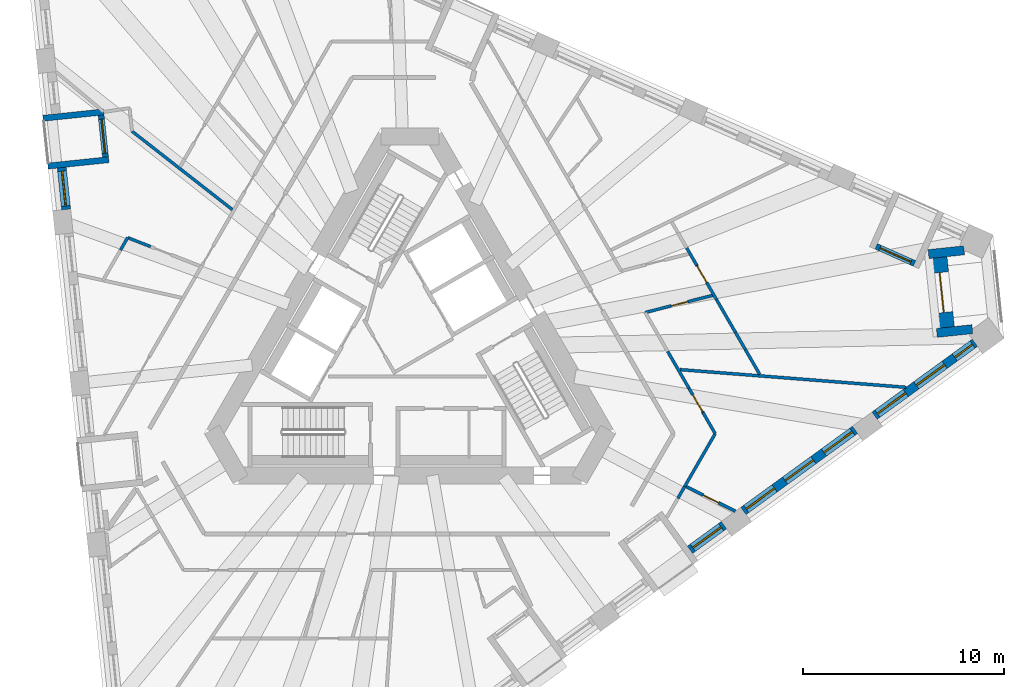
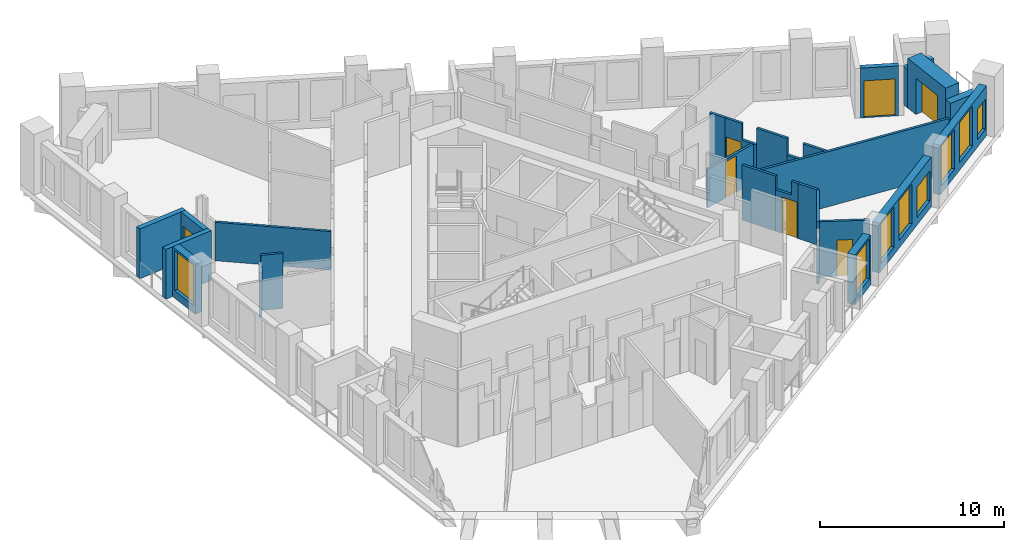
# One storey, part 6 of 14: 27 walls, 8 windows, 7 doors, 15 openings.
"""IFC4 building model written with IfcOpenShell, lengths in metres."""

from ifc_helpers import new_model, si_unit, direction, frame, frame_2d, origin, place, context, subcontext, project, spatial, polyline, rectangle, outline, extrude, material, layer, layer_set, type_object, element, fill, save


model = new_model("IFC4")

# Units and contexts
model_context = context("Model", 3, precision=1e-05, world=origin(), true_north=direction((0.0, 1.0)))
body_context = subcontext(model_context, "Body", "Model", "MODEL_VIEW")
ifc_project = project(units=[si_unit("LENGTHUNIT", "METRE"), si_unit("AREAUNIT", "SQUARE_METRE"), si_unit("VOLUMEUNIT", "CUBIC_METRE"), si_unit("PLANEANGLEUNIT", "RADIAN"), si_unit("MASSUNIT", "GRAM", prefix="KILO")], contexts=[model_context])

# Site, building, storey
site_placement = place(None, origin())
site = spatial("IfcSite", under=ifc_project, at=site_placement, CompositionType="ELEMENT")
building_placement = place(site_placement, origin())
building = spatial("IfcBuilding", under=site, at=building_placement, Name="Tramontana Tower", CompositionType="ELEMENT")
storey_placement = place(building_placement, frame((0.0, 0.0, 174.800048828125)))
storey = spatial("IfcBuildingStorey", under=building, at=storey_placement, Name="L40", CompositionType="ELEMENT", Elevation=174.800048828125)

# Wall, opening, window
ifc_material_1 = material(Name="Precast concrete 60 MPa", Category="concrete")
ifc_layer_1 = layer(ifc_material_1, 0.449951171875)
ifc_layer_set_1 = layer_set([ifc_layer_1], Name="Precast concrete 60 MPa, 450 mm")
wall_type_1 = type_object("IfcWallType", Name="EW1 Stone-faced precast wall 450", PredefinedType="SOLIDWALL", material=ifc_layer_set_1)
wall_1_placement = place(storey_placement, frame((-17.362060546875, 9.01171875, 0.0), z_axis=(0.0, 0.0, 1.0), x_axis=(0.104569484464, -0.994517583011, 0.0)))
wall_1 = element("IfcWall", 1, at=wall_1_placement, inside=storey, type_object=wall_type_1, Name="External wall L40 face 0 bay 2", PredefinedType="SOLIDWALL", context=body_context, shape_type="SweptSolid", body=[
    extrude(rectangle(XDim=2.09423828125, YDim=0.449951171875, at=frame_2d((1.047119140625, 0.0))), origin(), (0.0, 0.0, 1.0), 3.300048828125),
])
opening_1_placement = place(wall_1_placement, frame((0.172119140625, 0.0, 0.5)))
opening_1 = element("IfcOpeningElement", 2, at=opening_1_placement, cuts=wall_1, Name="Opening M2", PredefinedType="OPENING", context=body_context, shape_type="SweptSolid", body=[
    extrude(rectangle(XDim=1.75, YDim=2.64990234375, at=frame_2d((0.875, 1.324951171875))), frame((0.0, 0.23486328125, 0.0), z_axis=(0.0, -1.0, 0.0), x_axis=(1.0, 0.0, 0.0)), (0.0, 0.0, 1.0), 0.469970703125),
])
ifc_material_2 = material(Name="Aluminum frame, double glazing unit", Category="aluminium")
window_type_1 = type_object("IfcWindowType", Name="M2 Window 1.75 x 2.65", PartitioningType="SINGLE_PANEL", PredefinedType="WINDOW", material=ifc_material_2)
window_1_placement = place(opening_1_placement, origin())
window_1 = element("IfcWindow", 3, at=window_1_placement, inside=storey, type_object=window_type_1, Name="Window M2 L40 face 0 module 6", OverallHeight=2.64990234375, OverallWidth=1.75, PartitioningType="SINGLE_PANEL", PredefinedType="WINDOW", context=body_context, shape_type="SweptSolid", body=[
    extrude(rectangle(XDim=1.75, YDim=2.64990234375, at=frame_2d((0.875, 1.324951171875))), frame((0.0, 0.030029296875, 0.0), z_axis=(0.0, -1.0, 0.0), x_axis=(1.0, 0.0, 0.0)), (0.0, 0.0, 1.0), 0.06005859375),
])
fill(opening_1, window_1)

wall_2_placement = place(storey_placement, frame((13.955078125, -10.039794921875, 0.0), z_axis=(0.0, 0.0, 1.0), x_axis=(0.809028366311, 0.587769599847, 0.0)))
wall_2 = element("IfcWall", 4, at=wall_2_placement, inside=storey, type_object=wall_type_1, Name="External wall L40 face 1 bay 4", PredefinedType="SOLIDWALL", context=body_context, shape_type="SweptSolid", body=[
    extrude(rectangle(XDim=2.09423828125, YDim=0.449951171875, at=frame_2d((1.047119140625, 0.0))), origin(), (0.0, 0.0, 1.0), 3.300048828125),
])
opening_2_placement = place(wall_2_placement, frame((0.172119140625, 0.0, 0.5)))
opening_2 = element("IfcOpeningElement", 5, at=opening_2_placement, cuts=wall_2, Name="Opening M2", PredefinedType="OPENING", context=body_context, shape_type="SweptSolid", body=[
    extrude(rectangle(XDim=1.75, YDim=2.64990234375, at=frame_2d((0.875, 1.324951171875))), frame((0.0, 0.23486328125, 0.0), z_axis=(0.0, -1.0, 0.0), x_axis=(1.0, 0.0, 0.0)), (0.0, 0.0, 1.0), 0.469970703125),
])
window_2_placement = place(opening_2_placement, origin())
window_2 = element("IfcWindow", 6, at=window_2_placement, inside=storey, type_object=window_type_1, Name="Window M2 L40 face 1 module 12", OverallHeight=2.64990234375, OverallWidth=1.75, PartitioningType="SINGLE_PANEL", PredefinedType="WINDOW", context=body_context, shape_type="SweptSolid", body=[
    extrude(rectangle(XDim=1.75, YDim=2.64990234375, at=frame_2d((0.875, 1.324951171875))), frame((0.0, 0.030029296875, 0.0), z_axis=(0.0, -1.0, 0.0), x_axis=(1.0, 0.0, 0.0)), (0.0, 0.0, 1.0), 0.06005859375),
])
fill(opening_2, window_2)

# Wall, openings, windows
wall_3_placement = place(storey_placement, frame((16.6201171875, -8.103515625, 0.0), z_axis=(0.0, 0.0, 1.0), x_axis=(0.809016690404, 0.587785670672, 0.0)))
wall_3 = element("IfcWall", 7, at=wall_3_placement, inside=storey, type_object=wall_type_1, Name="External wall L40 face 1 bay 5", PredefinedType="SOLIDWALL", context=body_context, shape_type="SweptSolid", body=[
    extrude(rectangle(XDim=6.8828125, YDim=0.449951171875, at=frame_2d((3.44140625, 0.0))), origin(), (0.0, 0.0, 1.0), 3.300048828125),
])
opening_3_placement = place(wall_3_placement, frame((0.172119140625, 0.0, 0.5)))
opening_3 = element("IfcOpeningElement", 8, at=opening_3_placement, cuts=wall_3, Name="Opening M2", PredefinedType="OPENING", context=body_context, shape_type="SweptSolid", body=[
    extrude(rectangle(XDim=1.75, YDim=2.64990234375, at=frame_2d((0.875, 1.324951171875))), frame((0.0, 0.23486328125, 0.0), z_axis=(0.0, -1.0, 0.0), x_axis=(1.0, 0.0, 0.0)), (0.0, 0.0, 1.0), 0.469970703125),
])
opening_4_placement = place(wall_3_placement, frame((2.56640625, 0.0, 0.5)))
opening_4 = element("IfcOpeningElement", 9, at=opening_4_placement, cuts=wall_3, Name="Opening M2", PredefinedType="OPENING", context=body_context, shape_type="SweptSolid", body=[
    extrude(rectangle(XDim=1.75, YDim=2.64990234375, at=frame_2d((0.875, 1.324951171875))), frame((0.0, 0.23486328125, 0.0), z_axis=(0.0, -1.0, 0.0), x_axis=(1.0, 0.0, 0.0)), (0.0, 0.0, 1.0), 0.469970703125),
])
opening_5_placement = place(wall_3_placement, frame((4.960693359375, 0.0, 0.5)))
opening_5 = element("IfcOpeningElement", 10, at=opening_5_placement, cuts=wall_3, Name="Opening M2L", PredefinedType="OPENING", context=body_context, shape_type="SweptSolid", body=[
    extrude(rectangle(XDim=1.75, YDim=2.0, at=frame_2d((0.875, 1.0))), frame((0.0, 0.23486328125, 0.0), z_axis=(0.0, -1.0, 0.0), x_axis=(1.0, 0.0, 0.0)), (0.0, 0.0, 1.0), 0.469970703125),
])
window_3_placement = place(opening_3_placement, origin())
window_3 = element("IfcWindow", 11, at=window_3_placement, inside=storey, type_object=window_type_1, Name="Window M2 L40 face 1 module 13", OverallHeight=2.64990234375, OverallWidth=1.75, PartitioningType="SINGLE_PANEL", PredefinedType="WINDOW", context=body_context, shape_type="SweptSolid", body=[
    extrude(rectangle(XDim=1.75, YDim=2.64990234375, at=frame_2d((0.875, 1.324951171875))), frame((0.0, 0.030029296875, 0.0), z_axis=(0.0, -1.0, 0.0), x_axis=(1.0, 0.0, 0.0)), (0.0, 0.0, 1.0), 0.06005859375),
])
fill(opening_3, window_3)
window_4_placement = place(opening_4_placement, origin())
window_4 = element("IfcWindow", 12, at=window_4_placement, inside=storey, type_object=window_type_1, Name="Window M2 L40 face 1 module 14", OverallHeight=2.64990234375, OverallWidth=1.75, PartitioningType="SINGLE_PANEL", PredefinedType="WINDOW", context=body_context, shape_type="SweptSolid", body=[
    extrude(rectangle(XDim=1.75, YDim=2.64990234375, at=frame_2d((0.875, 1.324951171875))), frame((0.0, 0.030029296875, 0.0), z_axis=(0.0, -1.0, 0.0), x_axis=(1.0, 0.0, 0.0)), (0.0, 0.0, 1.0), 0.06005859375),
])
fill(opening_4, window_4)
ifc_material_3 = material(Name="Aluminum frame, double glazing unit", Category="aluminium")
window_type_2 = type_object("IfcWindowType", Name="M2L Window 1.75 x 2", PartitioningType="SINGLE_PANEL", PredefinedType="WINDOW", material=ifc_material_3)
window_5_placement = place(opening_5_placement, origin())
window_5 = element("IfcWindow", 13, at=window_5_placement, inside=storey, type_object=window_type_2, Name="Window M2L L40 face 1 module 15", OverallHeight=2.0, OverallWidth=1.75, PartitioningType="SINGLE_PANEL", PredefinedType="WINDOW", context=body_context, shape_type="SweptSolid", body=[
    extrude(rectangle(XDim=1.75, YDim=2.0, at=frame_2d((0.875, 1.0))), frame((0.0, 0.030029296875, 0.0), z_axis=(0.0, -1.0, 0.0), x_axis=(1.0, 0.0, 0.0)), (0.0, 0.0, 1.0), 0.06005859375),
])
fill(opening_5, window_5)

wall_4_placement = place(storey_placement, frame((23.159423828125, -3.3525390625, 0.0), z_axis=(0.0, 0.0, 1.0), x_axis=(0.809005790194, 0.587800673215, 0.0)))
wall_4 = element("IfcWall", 14, at=wall_4_placement, inside=storey, type_object=wall_type_1, Name="External wall L40 face 1 bay 6", PredefinedType="SOLIDWALL", context=body_context, shape_type="SweptSolid", body=[
    extrude(rectangle(XDim=6.182861328125, YDim=0.449951171875, at=frame_2d((3.09130859375, 0.0))), origin(), (0.0, 0.0, 1.0), 3.300048828125),
])
opening_6_placement = place(wall_4_placement, frame((0.172119140625, 0.0, 0.5)))
opening_6 = element("IfcOpeningElement", 15, at=opening_6_placement, cuts=wall_4, Name="Opening M2", PredefinedType="OPENING", context=body_context, shape_type="SweptSolid", body=[
    extrude(rectangle(XDim=1.75, YDim=2.64990234375, at=frame_2d((0.875, 1.324951171875))), frame((0.0, 0.23486328125, 0.0), z_axis=(0.0, -1.0, 0.0), x_axis=(1.0, 0.0, 0.0)), (0.0, 0.0, 1.0), 0.469970703125),
])
opening_7_placement = place(wall_4_placement, frame((2.56640625, 0.0, 0.5)))
opening_7 = element("IfcOpeningElement", 16, at=opening_7_placement, cuts=wall_4, Name="Opening M2", PredefinedType="OPENING", context=body_context, shape_type="SweptSolid", body=[
    extrude(rectangle(XDim=1.75, YDim=2.64990234375, at=frame_2d((0.875, 1.324951171875))), frame((0.0, 0.23486328125, 0.0), z_axis=(0.0, -1.0, 0.0), x_axis=(1.0, 0.0, 0.0)), (0.0, 0.0, 1.0), 0.469970703125),
])
opening_8_placement = place(wall_4_placement, frame((4.935791015625, 0.0, 0.5)))
opening_8 = element("IfcOpeningElement", 17, at=opening_8_placement, cuts=wall_4, Name="Opening N2L", PredefinedType="OPENING", context=body_context, shape_type="SweptSolid", body=[
    extrude(rectangle(XDim=1.10009765625, YDim=2.0, at=frame_2d((0.550048828125, 1.0))), frame((0.0, 0.23486328125, 0.0), z_axis=(0.0, -1.0, 0.0), x_axis=(1.0, 0.0, 0.0)), (0.0, 0.0, 1.0), 0.469970703125),
])
window_6_placement = place(opening_6_placement, origin())
window_6 = element("IfcWindow", 18, at=window_6_placement, inside=storey, type_object=window_type_1, Name="Window M2 L40 face 1 module 16", OverallHeight=2.64990234375, OverallWidth=1.75, PartitioningType="SINGLE_PANEL", PredefinedType="WINDOW", context=body_context, shape_type="SweptSolid", body=[
    extrude(rectangle(XDim=1.75, YDim=2.64990234375, at=frame_2d((0.875, 1.324951171875))), frame((0.0, 0.030029296875, 0.0), z_axis=(0.0, -1.0, 0.0), x_axis=(1.0, 0.0, 0.0)), (0.0, 0.0, 1.0), 0.06005859375),
])
fill(opening_6, window_6)
window_7_placement = place(opening_7_placement, origin())
window_7 = element("IfcWindow", 19, at=window_7_placement, inside=storey, type_object=window_type_1, Name="Window M2 L40 face 1 module 17", OverallHeight=2.64990234375, OverallWidth=1.75, PartitioningType="SINGLE_PANEL", PredefinedType="WINDOW", context=body_context, shape_type="SweptSolid", body=[
    extrude(rectangle(XDim=1.75, YDim=2.64990234375, at=frame_2d((0.875, 1.324951171875))), frame((0.0, 0.030029296875, 0.0), z_axis=(0.0, -1.0, 0.0), x_axis=(1.0, 0.0, 0.0)), (0.0, 0.0, 1.0), 0.06005859375),
])
fill(opening_7, window_7)
ifc_material_4 = material(Name="Aluminum frame, double glazing unit", Category="aluminium")
window_type_3 = type_object("IfcWindowType", Name="N2L Window 1.1 x 2", PartitioningType="SINGLE_PANEL", PredefinedType="WINDOW", material=ifc_material_4)
window_8_placement = place(opening_8_placement, origin())
window_8 = element("IfcWindow", 20, at=window_8_placement, inside=storey, type_object=window_type_3, Name="Window N2L L40 face 1 module 18", OverallHeight=2.0, OverallWidth=1.10009765625, PartitioningType="SINGLE_PANEL", PredefinedType="WINDOW", context=body_context, shape_type="SweptSolid", body=[
    extrude(rectangle(XDim=1.10009765625, YDim=2.0, at=frame_2d((0.550048828125, 1.0))), frame((0.0, 0.030029296875, 0.0), z_axis=(0.0, -1.0, 0.0), x_axis=(1.0, 0.0, 0.0)), (0.0, 0.0, 1.0), 0.06005859375),
])
fill(opening_8, window_8)

# Walls
wall_5_placement = place(storey_placement, frame((27.619384765625, 4.888916015625, 0.0), z_axis=(0.0, 0.0, 1.0), x_axis=(-0.994517477618, -0.104570486815, 0.0)))
element("IfcWall", 21, at=wall_5_placement, inside=storey, type_object=wall_type_1, Name="Corner loggia side wall L40 K42l", PredefinedType="SOLIDWALL", context=body_context, shape_type="SweptSolid", body=[
    extrude(rectangle(XDim=1.779052734375, YDim=0.449951171875, at=frame_2d((0.8896484375, 0.0))), origin(), (0.0, 0.0, 1.0), 2.550048828125),
])
wall_6_placement = place(storey_placement, frame((28.032470703125, 0.96044921875, 0.0), z_axis=(0.0, 0.0, 1.0), x_axis=(-0.994518977937, -0.104556217051, 0.0)))
element("IfcWall", 22, at=wall_6_placement, inside=storey, type_object=wall_type_1, Name="Corner loggia side wall L40 K42r", PredefinedType="SOLIDWALL", context=body_context, shape_type="SweptSolid", body=[
    extrude(rectangle(XDim=1.779296875, YDim=0.449951171875, at=frame_2d((0.8896484375, 0.0))), origin(), (0.0, 0.0, 1.0), 2.550048828125),
])

# Wall, opening, door
ifc_material_5 = material(Name="Precast concrete 60 MPa", Category="concrete")
ifc_layer_2 = layer(ifc_material_5, 0.89990234375)
ifc_layer_set_2 = layer_set([ifc_layer_2], Name="EW2 Stone-faced corner loggia wall 900")
wall_type_2 = type_object("IfcWallType", Name="EW2 Stone-faced corner loggia wall 900", PredefinedType="SOLIDWALL", material=ifc_layer_set_2)
wall_7_placement = place(storey_placement, frame((26.321044921875, 4.526123046875, 0.0), z_axis=(0.0, 0.0, 1.0), x_axis=(0.104557701916, -0.994518821828, 0.0)))
wall_7 = element("IfcWall", 23, at=wall_7_placement, inside=storey, type_object=wall_type_2, Name="Corner loggia wall L40 K42", PredefinedType="SOLIDWALL", context=body_context, shape_type="SweptSolid", body=[
    extrude(rectangle(XDim=3.500244140625, YDim=0.89990234375, at=frame_2d((1.75, 0.0))), origin(), (0.0, 0.0, 1.0), 3.300048828125),
])
opening_9_placement = place(wall_7_placement, frame((0.75, 0.0, 0.0)))
opening_9 = element("IfcOpeningElement", 24, at=opening_9_placement, cuts=wall_7, Name="Opening BD-42C", PredefinedType="OPENING", context=body_context, shape_type="SweptSolid", body=[
    extrude(rectangle(XDim=2.0, YDim=2.39990234375, at=frame_2d((1.0, 1.199951171875))), frame((0.0, 0.4599609375, 0.0), z_axis=(0.0, -1.0, 0.0), x_axis=(1.0, 0.0, 0.0)), (0.0, 0.0, 1.0), 0.919921875),
])
ifc_material_6 = material(Name="Aluminum frame, double glazing unit", Category="aluminium")
door_type_1 = type_object("IfcDoorType", Name="BC1 Sliding door 2 x 2.4", OperationType="SLIDING_TO_LEFT", PredefinedType="DOOR", material=ifc_material_6)
door_1_placement = place(opening_9_placement, origin())
door_1 = element("IfcDoor", 25, at=door_1_placement, inside=storey, type_object=door_type_1, Name="Corner loggia door L40 K42", OperationType="SLIDING_TO_LEFT", OverallHeight=2.39990234375, OverallWidth=2.0, PredefinedType="DOOR", context=body_context, shape_type="SweptSolid", body=[
    extrude(rectangle(XDim=2.0, YDim=2.39990234375, at=frame_2d((1.0, 1.199951171875))), frame((0.0, 0.02490234375, 0.0), z_axis=(0.0, -1.0, 0.0), x_axis=(1.0, 0.0, 0.0)), (0.0, 0.0, 1.0), 0.050048828125),
])
fill(opening_9, door_1)

ifc_material_7 = material(Name="Precast concrete 60 MPa", Category="concrete")
ifc_layer_3 = layer(ifc_material_7, 0.300048828125)
ifc_layer_set_3 = layer_set([ifc_layer_3], Name="LW1 Stone-faced loggia wall 300")
wall_type_3 = type_object("IfcWallType", Name="LW1 Stone-faced loggia wall 300", PredefinedType="SOLIDWALL", material=ifc_layer_set_3)
wall_8_placement = place(storey_placement, frame((-15.399658203125, 11.62548828125, 0.0), z_axis=(0.0, 0.0, 1.0), x_axis=(0.104569484464, -0.994517583011, 0.0)))
wall_8 = element("IfcWall", 26, at=wall_8_placement, inside=storey, type_object=wall_type_3, Name="Loggia wall L40 G4S0.4", PredefinedType="SOLIDWALL", context=body_context, shape_type="SweptSolid", body=[
    extrude(rectangle(XDim=2.09423828125, YDim=0.300048828125, at=frame_2d((1.047119140625, 0.0))), origin(), (0.0, 0.0, 1.0), 3.300048828125),
])
opening_10_placement = place(wall_8_placement, frame((0.197265625, 0.0, 0.0)))
opening_10 = element("IfcOpeningElement", 27, at=opening_10_placement, cuts=wall_8, Name="Opening BD-4S0-04", PredefinedType="OPENING", context=body_context, shape_type="SweptSolid", body=[
    extrude(rectangle(XDim=1.699951171875, YDim=2.449951171875, at=frame_2d((0.85009765625, 1.22509765625))), frame((0.0, 0.159912109375, 0.0), z_axis=(0.0, -1.0, 0.0), x_axis=(1.0, 0.0, 0.0)), (0.0, 0.0, 1.0), 0.320068359375),
])
ifc_material_8 = material(Name="Aluminum frame, double glazing unit", Category="aluminium")
door_type_2 = type_object("IfcDoorType", Name="BD2 Sliding door 1.7 x 2.45", OperationType="SLIDING_TO_LEFT", PredefinedType="DOOR", material=ifc_material_8)
door_2_placement = place(opening_10_placement, origin())
door_2 = element("IfcDoor", 28, at=door_2_placement, inside=storey, type_object=door_type_2, Name="Loggia door L40 G4S0.4", OperationType="SLIDING_TO_LEFT", OverallHeight=2.449951171875, OverallWidth=1.699951171875, PredefinedType="DOOR", context=body_context, shape_type="SweptSolid", body=[
    extrude(rectangle(XDim=1.699951171875, YDim=2.449951171875, at=frame_2d((0.85009765625, 1.22509765625))), frame((0.0, 0.02490234375, 0.0), z_axis=(0.0, -1.0, 0.0), x_axis=(1.0, 0.0, 0.0)), (0.0, 0.0, 1.0), 0.050048828125),
])
fill(opening_10, door_2)

# Walls
for number, where, z_axis, x_axis, name in (
    (29, (-18.29931640625, 11.471435546875, 0.0), (0.0, 0.0, 1.0), (0.994520355942, 0.104543108891, 0.0), "Loggia return L40 G4S0.4a"),
    (30, (-18.049072265625, 9.09033203125, 0.0), (0.0, 0.0, 1.0), (0.994520355942, 0.104543108891, 0.0), "Loggia return L40 G4S0.4b"),
):
    element("IfcWall", number, at=place(storey_placement, frame(where, z_axis=z_axis, x_axis=x_axis)), inside=storey, type_object=wall_type_3, Name=name, PredefinedType="SOLIDWALL", context=body_context, shape_type="SweptSolid", body=[
        extrude(rectangle(XDim=3.0498046875, YDim=0.300048828125, at=frame_2d((1.52490234375, 0.0))), origin(), (0.0, 0.0, 1.0), 3.300048828125),
    ])

# Wall, opening, door
wall_9_placement = place(storey_placement, frame((25.15185546875, 4.236083984375, 0.0), z_axis=(0.0, 0.0, 1.0), x_axis=(-0.913556597974, 0.40671162056, 0.0)))
wall_9 = element("IfcWall", 31, at=wall_9_placement, inside=storey, type_object=wall_type_3, Name="Loggia wall L40 G4S2.1", PredefinedType="SOLIDWALL", context=body_context, shape_type="SweptSolid", body=[
    extrude(rectangle(XDim=2.094482421875, YDim=0.300048828125, at=frame_2d((1.04736328125, 0.0))), origin(), (0.0, 0.0, 1.0), 3.300048828125),
])
opening_11_placement = place(wall_9_placement, frame((0.197265625, 0.0, 0.0)))
opening_11 = element("IfcOpeningElement", 32, at=opening_11_placement, cuts=wall_9, Name="Opening BD-4S2-01", PredefinedType="OPENING", context=body_context, shape_type="SweptSolid", body=[
    extrude(rectangle(XDim=1.699951171875, YDim=2.449951171875, at=frame_2d((0.85009765625, 1.22509765625))), frame((0.0, 0.159912109375, 0.0), z_axis=(0.0, -1.0, 0.0), x_axis=(1.0, 0.0, 0.0)), (0.0, 0.0, 1.0), 0.320068359375),
])
door_3_placement = place(opening_11_placement, origin())
door_3 = element("IfcDoor", 33, at=door_3_placement, inside=storey, type_object=door_type_2, Name="Loggia door L40 G4S2.1", OperationType="SLIDING_TO_LEFT", OverallHeight=2.449951171875, OverallWidth=1.699951171875, PredefinedType="DOOR", context=body_context, shape_type="SweptSolid", body=[
    extrude(rectangle(XDim=1.699951171875, YDim=2.449951171875, at=frame_2d((0.85009765625, 1.22509765625))), frame((0.0, 0.02490234375, 0.0), z_axis=(0.0, -1.0, 0.0), x_axis=(1.0, 0.0, 0.0)), (0.0, 0.0, 1.0), 0.050048828125),
])
fill(opening_11, door_3)

# Walls
ifc_material_9 = material(Name="Gypsum board partition")
ifc_layer_4 = layer(ifc_material_9, 0.14990234375)
ifc_layer_set_4 = layer_set([ifc_layer_4], Name="PARTITION 150")
wall_type_4 = type_object("IfcWallType", Name="PARTITION 150", PredefinedType="PARTITIONING", material=ifc_layer_set_4)
wall_10_placement = place(storey_placement, frame((-14.432373046875, 4.90234375, 0.0), z_axis=(0.0, 0.0, 1.0), x_axis=(0.500027542156, 0.866009501729, 0.0)))
element("IfcWall", 34, at=wall_10_placement, inside=storey, type_object=wall_type_4, Name="Wall v41-pw00-1", PredefinedType="PARTITIONING", context=body_context, shape_type="SweptSolid", body=[
    extrude(rectangle(XDim=0.7158203125, YDim=0.14990234375, at=frame_2d((0.35791015625, 0.0))), origin(), (0.0, 0.0, 1.0), 2.949951171875),
])
wall_11_placement = place(storey_placement, frame((-14.074462890625, 5.522216796875, 0.0), z_axis=(0.0, 0.0, 1.0), x_axis=(0.9308963575, -0.3652834127, 0.0)))
element("IfcWall", 35, at=wall_11_placement, inside=storey, type_object=wall_type_4, Name="Wall v41-pw08-0", PredefinedType="PARTITIONING", context=body_context, shape_type="SweptSolid", body=[
    extrude(rectangle(XDim=1.228515625, YDim=0.14990234375, at=frame_2d((0.6142578125, 0.0))), origin(), (0.0, 0.0, 1.0), 3.64990234375),
])
wall_12_placement = place(storey_placement, frame((-8.852783203125, 6.916748046875, 0.0), z_axis=(0.0, 0.0, 1.0), x_axis=(-0.788021459681, 0.61564777193, 0.0)))
element("IfcWall", 36, at=wall_12_placement, inside=storey, type_object=wall_type_4, Name="Wall v41-pw20-0", PredefinedType="PARTITIONING", context=body_context, shape_type="SweptSolid", body=[
    extrude(rectangle(XDim=6.350830078125, YDim=0.14990234375, at=frame_2d((3.17529296875, 0.0))), origin(), (0.0, 0.0, 1.0), 2.550048828125),
])
wall_13_placement = place(storey_placement, frame((12.845703125, -0.149658203125, 0.0), z_axis=(0.0, 0.0, 1.0), x_axis=(0.500073154421, -0.86598316394, 0.0)))
element("IfcWall", 37, at=wall_13_placement, inside=storey, type_object=wall_type_4, Name="Wall v41-pw43-2", PredefinedType="PARTITIONING", context=body_context, shape_type="SweptSolid", body=[
    extrude(rectangle(XDim=2.109130859375, YDim=0.14990234375, at=frame_2d((1.0546875, 0.0))), origin(), (0.0, 0.0, 1.0), 3.64990234375),
])

# Wall, opening, door
wall_14_placement = place(storey_placement, frame((13.900390625, -1.97607421875, 0.0), z_axis=(0.0, 0.0, 1.0), x_axis=(0.499918201355, -0.866072625104, 0.0)))
wall_14 = element("IfcWall", 38, at=wall_14_placement, inside=storey, type_object=wall_type_4, Name="Wall v41-pw43-3", PredefinedType="PARTITIONING", context=body_context, shape_type="SweptSolid", body=[
    extrude(outline(polyline([(0.0, 0.0), (1.403564453125, 0.0), (1.403564453125, 3.64990234375), (1.0068359375, 3.64990234375), (1.0068359375, 2.75), (0.0, 2.75), (0.0, 0.0)])), frame((0.0, 0.074951171875, 0.0), z_axis=(0.0, -1.0, 0.0), x_axis=(1.0, 0.0, 0.0)), (0.0, 0.0, 1.0), 0.14990234375),
])
opening_12_placement = place(wall_14_placement, frame((0.403564453125, 0.0, 0.0)))
opening_12 = element("IfcOpeningElement", 39, at=opening_12_placement, cuts=wall_14, Name="Opening B4B-18", PredefinedType="OPENING", context=body_context, shape_type="SweptSolid", body=[
    extrude(rectangle(XDim=0.949951171875, YDim=2.39990234375, at=frame_2d((0.47509765625, 1.199951171875))), frame((0.0, 0.0849609375, 0.0), z_axis=(0.0, -1.0, 0.0), x_axis=(1.0, 0.0, 0.0)), (0.0, 0.0, 1.0), 0.169921875),
])
ifc_material_10 = material(Name="Painted timber", Category="wood")
door_type_3 = type_object("IfcDoorType", Name="DOOR ROOM 950", OperationType="SINGLE_SWING_LEFT", PredefinedType="DOOR", material=ifc_material_10)
door_4_placement = place(opening_12_placement, origin())
door_4 = element("IfcDoor", 40, at=door_4_placement, inside=storey, type_object=door_type_3, Name="Door B4B-18", OperationType="SINGLE_SWING_RIGHT", OverallHeight=2.39990234375, OverallWidth=0.949951171875, PredefinedType="DOOR", context=body_context, shape_type="SweptSolid", body=[
    extrude(rectangle(XDim=0.949951171875, YDim=2.39990234375, at=frame_2d((0.47509765625, 1.199951171875))), frame((0.0, 0.02490234375, 0.0), z_axis=(0.0, -1.0, 0.0), x_axis=(1.0, 0.0, 0.0)), (0.0, 0.0, 1.0), 0.050048828125),
])
fill(opening_12, door_4)

# Walls
wall_15_placement = place(storey_placement, frame((14.60205078125, -3.191650390625, 0.0), z_axis=(0.0, 0.0, 1.0), x_axis=(0.500027955217, -0.866009263231, 0.0)))
element("IfcWall", 41, at=wall_15_placement, inside=storey, type_object=wall_type_4, Name="Wall v41-pw43-4", PredefinedType="PARTITIONING", context=body_context, shape_type="SweptSolid", body=[
    extrude(rectangle(XDim=1.22216796875, YDim=0.14990234375, at=frame_2d((0.611083984375, 0.0))), origin(), (0.0, 0.0, 1.0), 3.64990234375),
])
wall_16_placement = place(storey_placement, frame((13.792724609375, 5.010498046875, 0.0), z_axis=(0.0, 0.0, 1.0), x_axis=(0.499999078476, -0.866025935826, 0.0)))
element("IfcWall", 42, at=wall_16_placement, inside=storey, type_object=wall_type_4, Name="Wall v41-pw44-2", PredefinedType="PARTITIONING", context=body_context, shape_type="SweptSolid", body=[
    extrude(rectangle(XDim=0.9931640625, YDim=0.14990234375, at=frame_2d((0.49658203125, 0.0))), origin(), (0.0, 0.0, 1.0), 3.64990234375),
])

# Wall, opening, door
wall_17_placement = place(storey_placement, frame((14.289306640625, 4.150390625, 0.0), z_axis=(0.0, 0.0, 1.0), x_axis=(0.499926382705, -0.866067902578, 0.0)))
wall_17 = element("IfcWall", 43, at=wall_17_placement, inside=storey, type_object=wall_type_4, Name="Wall v41-pw44-3", PredefinedType="PARTITIONING", context=body_context, shape_type="SweptSolid", body=[
    extrude(outline(polyline([(0.0, 0.0), (1.968994140625, 0.0), (1.96923828125, 2.550048828125), (1.042236328125, 2.550048828125), (1.042236328125, 3.64990234375), (0.0, 3.64990234375), (0.0, 0.0)])), frame((0.0, 0.074951171875, 0.0), z_axis=(0.0, -1.0, 0.0), x_axis=(1.0, 0.0, 0.0)), (0.0, 0.0, 1.0), 0.14990234375),
])
opening_13_placement = place(wall_17_placement, frame((0.050048828125, 0.0, 0.0)))
opening_13 = element("IfcOpeningElement", 44, at=opening_13_placement, cuts=wall_17, Name="Opening B4B-17", PredefinedType="OPENING", context=body_context, shape_type="SweptSolid", body=[
    extrude(rectangle(XDim=0.949951171875, YDim=2.39990234375, at=frame_2d((0.47509765625, 1.199951171875))), frame((0.0, 0.0849609375, 0.0), z_axis=(0.0, -1.0, 0.0), x_axis=(1.0, 0.0, 0.0)), (0.0, 0.0, 1.0), 0.169921875),
])
door_5_placement = place(opening_13_placement, origin())
door_5 = element("IfcDoor", 45, at=door_5_placement, inside=storey, type_object=door_type_3, Name="Door B4B-17", OperationType="SINGLE_SWING_LEFT", OverallHeight=2.39990234375, OverallWidth=0.949951171875, PredefinedType="DOOR", context=body_context, shape_type="SweptSolid", body=[
    extrude(rectangle(XDim=0.949951171875, YDim=2.39990234375, at=frame_2d((0.47509765625, 1.199951171875))), frame((0.0, 0.02490234375, 0.0), z_axis=(0.0, -1.0, 0.0), x_axis=(1.0, 0.0, 0.0)), (0.0, 0.0, 1.0), 0.050048828125),
])
fill(opening_13, door_5)

# Walls
wall_18_placement = place(storey_placement, frame((15.273681640625, 2.445068359375, 0.0), z_axis=(0.0, 0.0, 1.0), x_axis=(0.499971120268, -0.866042076863, 0.0)))
element("IfcWall", 46, at=wall_18_placement, inside=storey, type_object=wall_type_4, Name="Wall v41-pw44-4", PredefinedType="PARTITIONING", context=body_context, shape_type="SweptSolid", body=[
    extrude(rectangle(XDim=1.89794921875, YDim=0.14990234375, at=frame_2d((0.948974609375, 0.0))), origin(), (0.0, 0.0, 1.0), 3.64990234375),
])
wall_19_placement = place(storey_placement, frame((16.22265625, 0.80126953125, 0.0), z_axis=(0.0, 0.0, 1.0), x_axis=(0.500138987177, -0.865945144628, 0.0)))
element("IfcWall", 47, at=wall_19_placement, inside=storey, type_object=wall_type_4, Name="Wall v41-pw44-5", PredefinedType="PARTITIONING", context=body_context, shape_type="SweptSolid", body=[
    extrude(rectangle(XDim=0.997802734375, YDim=0.14990234375, at=frame_2d((0.4990234375, 0.0))), origin(), (0.0, 0.0, 1.0), 2.550048828125),
])
wall_20_placement = place(storey_placement, frame((16.7216796875, -0.062744140625, 0.0), z_axis=(0.0, 0.0, 1.0), x_axis=(0.500059846627, -0.865990848561, 0.0)))
element("IfcWall", 48, at=wall_20_placement, inside=storey, type_object=wall_type_4, Name="Wall v41-pw44-6", PredefinedType="PARTITIONING", context=body_context, shape_type="SweptSolid", body=[
    extrude(rectangle(XDim=1.419677734375, YDim=0.14990234375, at=frame_2d((0.7099609375, 0.0))), origin(), (0.0, 0.0, 1.0), 3.64990234375),
])

# Wall, opening, door
wall_21_placement = place(storey_placement, frame((16.221435546875, -8.114990234375, 0.0), z_axis=(0.0, 0.0, 1.0), x_axis=(-0.894337926815, 0.447392079345, 0.0)))
wall_21 = element("IfcWall", 49, at=wall_21_placement, inside=storey, type_object=wall_type_4, Name="Wall v41-pw45", PredefinedType="PARTITIONING", context=body_context, shape_type="SweptSolid", body=[
    extrude(rectangle(XDim=2.735595703125, YDim=0.14990234375, at=frame_2d((1.36767578125, 0.0))), origin(), (0.0, 0.0, 1.0), 3.64990234375),
])
opening_14_placement = place(wall_21_placement, frame((0.94287109375, 0.0, 0.0)))
opening_14 = element("IfcOpeningElement", 50, at=opening_14_placement, cuts=wall_21, Name="Opening B4B-21", PredefinedType="OPENING", context=body_context, shape_type="SweptSolid", body=[
    extrude(rectangle(XDim=0.85009765625, YDim=2.39990234375, at=frame_2d((0.425048828125, 1.199951171875))), frame((0.0, 0.0849609375, 0.0), z_axis=(0.0, -1.0, 0.0), x_axis=(1.0, 0.0, 0.0)), (0.0, 0.0, 1.0), 0.169921875),
])
ifc_material_11 = material(Name="Painted timber", Category="wood")
door_type_4 = type_object("IfcDoorType", Name="DOOR BATH 850", OperationType="SINGLE_SWING_LEFT", PredefinedType="DOOR", material=ifc_material_11)
door_6_placement = place(opening_14_placement, origin())
door_6 = element("IfcDoor", 51, at=door_6_placement, inside=storey, type_object=door_type_4, Name="Door B4B-21", OperationType="SINGLE_SWING_LEFT", OverallHeight=2.39990234375, OverallWidth=0.85009765625, PredefinedType="DOOR", context=body_context, shape_type="SweptSolid", body=[
    extrude(rectangle(XDim=0.85009765625, YDim=2.39990234375, at=frame_2d((0.425048828125, 1.199951171875))), frame((0.0, 0.02490234375, 0.0), z_axis=(0.0, -1.0, 0.0), x_axis=(1.0, 0.0, 0.0)), (0.0, 0.0, 1.0), 0.050048828125),
])
fill(opening_14, door_6)

wall_22_placement = place(storey_placement, frame((15.146240234375, 2.65966796875, 0.0), z_axis=(0.0, 0.0, 1.0), x_axis=(-0.969239685198, -0.246118736867, 0.0)))
wall_22 = element("IfcWall", 52, at=wall_22_placement, inside=storey, type_object=wall_type_4, Name="Wall v41-pw46-0", PredefinedType="PARTITIONING", context=body_context, shape_type="SweptSolid", body=[
    extrude(rectangle(XDim=3.525390625, YDim=0.14990234375, at=frame_2d((1.7626953125, 0.0))), origin(), (0.0, 0.0, 1.0), 2.550048828125),
])
opening_15_placement = place(wall_22_placement, frame((1.337890625, 0.0, 0.0)))
opening_15 = element("IfcOpeningElement", 53, at=opening_15_placement, cuts=wall_22, Name="Opening B4B-16", PredefinedType="OPENING", context=body_context, shape_type="SweptSolid", body=[
    extrude(rectangle(XDim=0.85009765625, YDim=2.39990234375, at=frame_2d((0.425048828125, 1.199951171875))), frame((0.0, 0.0849609375, 0.0), z_axis=(0.0, -1.0, 0.0), x_axis=(1.0, 0.0, 0.0)), (0.0, 0.0, 1.0), 0.169921875),
])
door_7_placement = place(opening_15_placement, origin())
door_7 = element("IfcDoor", 54, at=door_7_placement, inside=storey, type_object=door_type_4, Name="Door B4B-16", OperationType="SINGLE_SWING_RIGHT", OverallHeight=2.39990234375, OverallWidth=0.85009765625, PredefinedType="DOOR", context=body_context, shape_type="SweptSolid", body=[
    extrude(rectangle(XDim=0.85009765625, YDim=2.39990234375, at=frame_2d((0.425048828125, 1.199951171875))), frame((0.0, 0.02490234375, 0.0), z_axis=(0.0, -1.0, 0.0), x_axis=(1.0, 0.0, 0.0)), (0.0, 0.0, 1.0), 0.050048828125),
])
fill(opening_15, door_7)

# Walls
wall_23_placement = place(storey_placement, frame((15.213134765625, -4.25, 0.0), z_axis=(0.0, 0.0, 1.0), x_axis=(-0.500018497585, -0.866014723935, 0.0)))
element("IfcWall", 55, at=wall_23_placement, inside=storey, type_object=wall_type_4, Name="Wall v41-pw47-0", PredefinedType="PARTITIONING", context=body_context, shape_type="SweptSolid", body=[
    extrude(rectangle(XDim=3.0458984375, YDim=0.14990234375, at=frame_2d((1.52294921875, 0.0))), origin(), (0.0, 0.0, 1.0), 3.64990234375),
])
wall_24_placement = place(storey_placement, frame((13.690185546875, -6.8876953125, 0.0), z_axis=(0.0, 0.0, 1.0), x_axis=(-0.499910196476, -0.866077245666, 0.0)))
element("IfcWall", 56, at=wall_24_placement, inside=storey, type_object=wall_type_4, Name="Wall v41-pw47-1", PredefinedType="PARTITIONING", context=body_context, shape_type="SweptSolid", body=[
    extrude(rectangle(XDim=0.67529296875, YDim=0.14990234375, at=frame_2d((0.337646484375, 0.0))), origin(), (0.0, 0.0, 1.0), 2.949951171875),
])
wall_25_placement = place(storey_placement, frame((24.721435546875, -1.939453125, 0.0), z_axis=(0.0, 0.0, 1.0), x_axis=(-0.996937056803, 0.078208086372, 0.0)))
element("IfcWall", 57, at=wall_25_placement, inside=storey, type_object=wall_type_4, Name="Wall v41-pw48", PredefinedType="PARTITIONING", context=body_context, shape_type="SweptSolid", body=[
    extrude(rectangle(XDim=11.300537109375, YDim=0.14990234375, at=frame_2d((5.650390625, 0.0))), origin(), (0.0, 0.0, 1.0), 3.64990234375),
])

save(model, "model.ifc")
